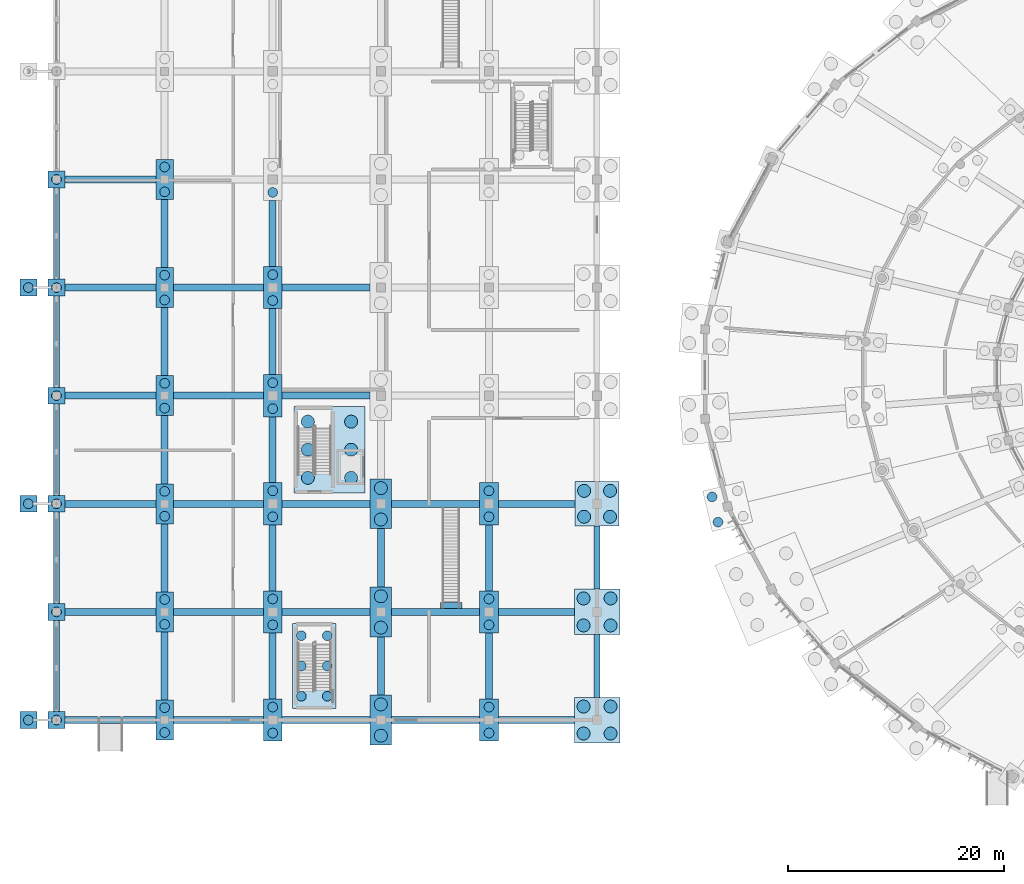
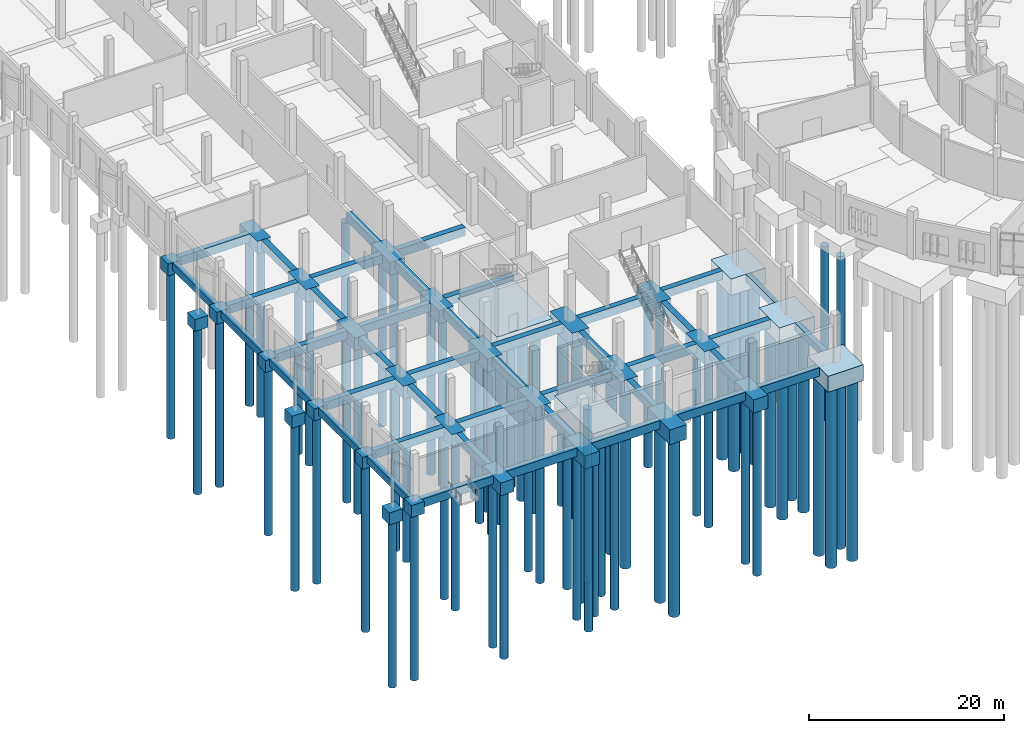
# One storey, part 1 of 140: 75 footings, 70 piles.
"""IFC4 building model written with IfcOpenShell, lengths in metres."""

from ifc_helpers import new_model, si_unit, direction, frame, origin, origin_2d, place, context, subcontext, project, spatial, rectangle, circle, extrude, material, layer, layer_set, material_profile, profile_set, type_object, element, save


model = new_model("IFC4")

# Units and contexts
model_context = context("Model", 3, precision=1e-05, world=origin(), true_north=direction((0.0, 1.0)))
body_context = subcontext(model_context, "Body", "Model", "MODEL_VIEW")
ifc_project = project(units=[si_unit("LENGTHUNIT", "METRE"), si_unit("AREAUNIT", "SQUARE_METRE"), si_unit("VOLUMEUNIT", "CUBIC_METRE"), si_unit("PLANEANGLEUNIT", "RADIAN"), si_unit("MASSUNIT", "GRAM", prefix="KILO")], contexts=[model_context])

# Site, building, storey
site_placement = place(None, origin())
site = spatial("IfcSite", under=ifc_project, at=site_placement, CompositionType="ELEMENT")
building_placement = place(site_placement, origin())
building = spatial("IfcBuilding", under=site, at=building_placement, Name="Corvandel Quay Wholesale Market", CompositionType="ELEMENT")
storey_placement = place(building_placement, origin())
storey = spatial("IfcBuildingStorey", under=building, at=storey_placement, Name="L00", CompositionType="ELEMENT", Elevation=0.0)

# Piles
ifc_material = material(Name="Concrete C40/50", Category="concrete")
ifc_material_profile_1 = material_profile(ifc_material, circle(Radius=0.60009765625, at=origin_2d()), Name="RC-PILE-D1200")
ifc_profile_set_1 = profile_set([ifc_material_profile_1], Name="Concrete C40/50")
pile_type_1 = type_object("IfcPileType", Name="Bored Pile D1200 L22.2", PredefinedType="BORED", material=ifc_profile_set_1)
for number, where, z_axis, x_axis, name in (
    (1, (30.0, 8.550048828125, -1.75), (0.0, 0.0, -1.0), (1.0, 0.0, 0.0), "Bored Pile PIL-0638"),
    (2, (30.0, 11.449951171875, -1.75), (0.0, 0.0, -1.0), (1.0, 0.0, 0.0), "Bored Pile PIL-0639"),
    (3, (30.0, 18.550048828125, -1.75), (0.0, 0.0, -1.0), (1.0, 0.0, 0.0), "Bored Pile PIL-0640"),
    (4, (30.0, 21.449951171875, -1.75), (0.0, 0.0, -1.0), (1.0, 0.0, 0.0), "Bored Pile PIL-0641"),
    (5, (30.0, 28.550048828125, -1.75), (0.0, 0.0, -1.0), (1.0, 0.0, 0.0), "Bored Pile PIL-0642"),
    (6, (30.0, 31.449951171875, -1.75), (0.0, 0.0, -1.0), (1.0, 0.0, 0.0), "Bored Pile PIL-0643"),
):
    element("IfcPile", number, at=place(storey_placement, frame(where, z_axis=z_axis, x_axis=x_axis)), inside=storey, type_object=pile_type_1, Name=name, PredefinedType="BORED", context=body_context, shape_type="SweptSolid", body=[
        extrude(circle(Radius=0.60009765625, at=origin_2d()), origin(), (0.0, 0.0, 1.0), 22.199951171875),
    ])
ifc_material_profile_2 = material_profile(ifc_material, circle(Radius=0.60009765625, at=origin_2d()), Name="RC-PILE-D1200")
ifc_profile_set_2 = profile_set([ifc_material_profile_2], Name="Concrete C40/50")
pile_type_2 = type_object("IfcPileType", Name="Bored Pile D1200 L22.6", PredefinedType="BORED", material=ifc_profile_set_2)
for number, where, z_axis, x_axis, name in (
    (7, (23.25, 32.39990234375, -1.89990234375), (0.0, 0.0, -1.0), (1.0, 0.0, 0.0), "Bored Pile PIL-0023"),
    (8, (27.25, 32.39990234375, -1.89990234375), (0.0, 0.0, -1.0), (1.0, 0.0, 0.0), "Bored Pile PIL-0024"),
    (9, (23.25, 35.0, -1.89990234375), (0.0, 0.0, -1.0), (1.0, 0.0, 0.0), "Bored Pile PIL-0025"),
    (10, (27.25, 35.0, -1.89990234375), (0.0, 0.0, -1.0), (1.0, 0.0, 0.0), "Bored Pile PIL-0026"),
    (11, (23.25, 37.60009765625, -1.89990234375), (0.0, 0.0, -1.0), (1.0, 0.0, 0.0), "Bored Pile PIL-0027"),
    (12, (27.25, 37.60009765625, -1.89990234375), (0.0, 0.0, -1.0), (1.0, 0.0, 0.0), "Bored Pile PIL-0028"),
    (13, (48.75, 8.75, -1.89990234375), (0.0, 0.0, -1.0), (1.0, 0.0, 0.0), "Bored Pile PIL-0694"),
    (14, (51.25, 8.75, -1.89990234375), (0.0, 0.0, -1.0), (1.0, 0.0, 0.0), "Bored Pile PIL-0695"),
    (15, (48.75, 11.25, -1.89990234375), (0.0, 0.0, -1.0), (1.0, 0.0, 0.0), "Bored Pile PIL-0696"),
    (16, (51.25, 11.25, -1.89990234375), (0.0, 0.0, -1.0), (1.0, 0.0, 0.0), "Bored Pile PIL-0697"),
    (17, (48.75, 18.75, -1.89990234375), (0.0, 0.0, -1.0), (1.0, 0.0, 0.0), "Bored Pile PIL-0698"),
    (18, (51.25, 18.75, -1.89990234375), (0.0, 0.0, -1.0), (1.0, 0.0, 0.0), "Bored Pile PIL-0699"),
    (19, (48.75, 21.25, -1.89990234375), (0.0, 0.0, -1.0), (1.0, 0.0, 0.0), "Bored Pile PIL-0700"),
    (20, (51.25, 21.25, -1.89990234375), (0.0, 0.0, -1.0), (1.0, 0.0, 0.0), "Bored Pile PIL-0701"),
    (21, (48.800048828125, 28.800048828125, -1.949951171875), (0.0, 0.0, -1.0), (1.0, 0.0, 0.0), "Bored Pile PIL-0702"),
    (22, (51.199951171875, 28.800048828125, -1.949951171875), (0.0, 0.0, -1.0), (1.0, 0.0, 0.0), "Bored Pile PIL-0703"),
    (23, (48.800048828125, 31.199951171875, -1.949951171875), (0.0, 0.0, -1.0), (1.0, 0.0, 0.0), "Bored Pile PIL-0704"),
    (24, (51.199951171875, 31.199951171875, -1.949951171875), (0.0, 0.0, -1.0), (1.0, 0.0, 0.0), "Bored Pile PIL-0705"),
):
    element("IfcPile", number, at=place(storey_placement, frame(where, z_axis=z_axis, x_axis=x_axis)), inside=storey, type_object=pile_type_2, Name=name, PredefinedType="BORED", context=body_context, shape_type="SweptSolid", body=[
        extrude(circle(Radius=0.60009765625, at=origin_2d()), origin(), (0.0, 0.0, 1.0), 22.60009765625),
    ])
ifc_material_profile_3 = material_profile(ifc_material, circle(Radius=0.449951171875, at=origin_2d()), Name="RC-PILE-D900")
ifc_profile_set_3 = profile_set([ifc_material_profile_3], Name="Concrete C40/50")
pile_type_3 = type_object("IfcPileType", Name="Bored Pile D900 L21.0", PredefinedType="BORED", material=ifc_profile_set_3)
for number, where, z_axis, x_axis, name in (
    (25, (-2.60009765625, 10.0, -1.39990234375), (0.0, 0.0, -1.0), (1.0, 0.0, 0.0), "Bored Pile PIL-0571"),
    (26, (-2.60009765625, 30.0, -1.39990234375), (0.0, 0.0, -1.0), (1.0, 0.0, 0.0), "Bored Pile PIL-0572"),
    (27, (-2.60009765625, 50.0, -1.39990234375), (0.0, 0.0, -1.0), (1.0, 0.0, 0.0), "Bored Pile PIL-0573"),
    (28, (0.0, 10.0, -1.39990234375), (0.0, 0.0, -1.0), (1.0, 0.0, 0.0), "Bored Pile PIL-0577"),
    (29, (0.0, 20.0, -1.39990234375), (0.0, 0.0, -1.0), (1.0, 0.0, 0.0), "Bored Pile PIL-0578"),
    (30, (0.0, 30.0, -1.39990234375), (0.0, 0.0, -1.0), (1.0, 0.0, 0.0), "Bored Pile PIL-0579"),
    (31, (0.0, 40.0, -1.39990234375), (0.0, 0.0, -1.0), (1.0, 0.0, 0.0), "Bored Pile PIL-0580"),
    (32, (0.0, 50.0, -1.39990234375), (0.0, 0.0, -1.0), (1.0, 0.0, 0.0), "Bored Pile PIL-0581"),
    (33, (0.0, 60.0, -1.39990234375), (0.0, 0.0, -1.0), (1.0, 0.0, 0.0), "Bored Pile PIL-0582"),
    (34, (10.0, 8.85009765625, -1.5), (0.0, 0.0, -1.0), (1.0, 0.0, 0.0), "Bored Pile PIL-0588"),
    (35, (10.0, 11.14990234375, -1.5), (0.0, 0.0, -1.0), (1.0, 0.0, 0.0), "Bored Pile PIL-0589"),
    (36, (10.0, 18.85009765625, -1.5), (0.0, 0.0, -1.0), (1.0, 0.0, 0.0), "Bored Pile PIL-0590"),
    (37, (10.0, 21.14990234375, -1.5), (0.0, 0.0, -1.0), (1.0, 0.0, 0.0), "Bored Pile PIL-0591"),
    (38, (10.0, 28.85009765625, -1.5), (0.0, 0.0, -1.0), (1.0, 0.0, 0.0), "Bored Pile PIL-0592"),
    (39, (10.0, 31.14990234375, -1.5), (0.0, 0.0, -1.0), (1.0, 0.0, 0.0), "Bored Pile PIL-0593"),
    (40, (10.0, 38.85009765625, -1.5), (0.0, 0.0, -1.0), (1.0, 0.0, 0.0), "Bored Pile PIL-0594"),
    (41, (10.0, 41.14990234375, -1.5), (0.0, 0.0, -1.0), (1.0, 0.0, 0.0), "Bored Pile PIL-0595"),
    (42, (10.0, 48.85009765625, -1.5), (0.0, 0.0, -1.0), (1.0, 0.0, 0.0), "Bored Pile PIL-0596"),
    (43, (10.0, 51.14990234375, -1.5), (0.0, 0.0, -1.0), (1.0, 0.0, 0.0), "Bored Pile PIL-0597"),
    (44, (10.0, 58.85009765625, -1.5), (0.0, 0.0, -1.0), (1.0, 0.0, 0.0), "Bored Pile PIL-0598"),
    (45, (10.0, 61.14990234375, -1.5), (0.0, 0.0, -1.0), (1.0, 0.0, 0.0), "Bored Pile PIL-0599"),
    (46, (20.0, 8.800048828125, -1.550048828125), (0.0, 0.0, -1.0), (1.0, 0.0, 0.0), "Bored Pile PIL-0610"),
    (47, (20.0, 11.199951171875, -1.550048828125), (0.0, 0.0, -1.0), (1.0, 0.0, 0.0), "Bored Pile PIL-0611"),
    (48, (20.0, 18.800048828125, -1.550048828125), (0.0, 0.0, -1.0), (1.0, 0.0, 0.0), "Bored Pile PIL-0612"),
    (49, (20.0, 21.199951171875, -1.550048828125), (0.0, 0.0, -1.0), (1.0, 0.0, 0.0), "Bored Pile PIL-0613"),
    (50, (20.0, 28.800048828125, -1.550048828125), (0.0, 0.0, -1.0), (1.0, 0.0, 0.0), "Bored Pile PIL-0614"),
    (51, (20.0, 31.199951171875, -1.550048828125), (0.0, 0.0, -1.0), (1.0, 0.0, 0.0), "Bored Pile PIL-0615"),
    (52, (20.0, 38.800048828125, -1.550048828125), (0.0, 0.0, -1.0), (1.0, 0.0, 0.0), "Bored Pile PIL-0616"),
    (53, (20.0, 41.199951171875, -1.550048828125), (0.0, 0.0, -1.0), (1.0, 0.0, 0.0), "Bored Pile PIL-0617"),
    (54, (20.0, 48.800048828125, -1.550048828125), (0.0, 0.0, -1.0), (1.0, 0.0, 0.0), "Bored Pile PIL-0618"),
    (55, (20.0, 51.199951171875, -1.550048828125), (0.0, 0.0, -1.0), (1.0, 0.0, 0.0), "Bored Pile PIL-0619"),
    (56, (20.0, 58.800048828125, -1.550048828125), (0.0, 0.0, -1.0), (1.0, 0.0, 0.0), "Bored Pile PIL-0620"),
    (57, (40.0, 8.800048828125, -1.550048828125), (0.0, 0.0, -1.0), (1.0, 0.0, 0.0), "Bored Pile PIL-0666"),
    (58, (40.0, 11.199951171875, -1.550048828125), (0.0, 0.0, -1.0), (1.0, 0.0, 0.0), "Bored Pile PIL-0667"),
    (59, (40.0, 18.800048828125, -1.550048828125), (0.0, 0.0, -1.0), (1.0, 0.0, 0.0), "Bored Pile PIL-0668"),
    (60, (40.0, 21.199951171875, -1.550048828125), (0.0, 0.0, -1.0), (1.0, 0.0, 0.0), "Bored Pile PIL-0669"),
    (61, (40.0, 28.800048828125, -1.550048828125), (0.0, 0.0, -1.0), (1.0, 0.0, 0.0), "Bored Pile PIL-0670"),
    (62, (40.0, 31.199951171875, -1.550048828125), (0.0, 0.0, -1.0), (1.0, 0.0, 0.0), "Bored Pile PIL-0671"),
):
    element("IfcPile", number, at=place(storey_placement, frame(where, z_axis=z_axis, x_axis=x_axis)), inside=storey, type_object=pile_type_3, Name=name, PredefinedType="BORED", context=body_context, shape_type="SweptSolid", body=[
        extrude(circle(Radius=0.449951171875, at=origin_2d()), origin(), (0.0, 0.0, 1.0), 21.0),
    ])
ifc_material_profile_4 = material_profile(ifc_material, circle(Radius=0.449951171875, at=origin_2d()), Name="RC-PILE-D900")
ifc_profile_set_4 = profile_set([ifc_material_profile_4], Name="Concrete C40/50")
pile_type_4 = type_object("IfcPileType", Name="Bored Pile D900 L21.8", PredefinedType="BORED", material=ifc_profile_set_4)
for number, where, z_axis, x_axis, name in (
    (63, (22.64990234375, 12.199951171875, -1.85009765625), (0.0, 0.0, -1.0), (1.0, 0.0, 0.0), "Bored Pile PIL-0089"),
    (64, (25.050048828125, 12.199951171875, -1.85009765625), (0.0, 0.0, -1.0), (1.0, 0.0, 0.0), "Bored Pile PIL-0090"),
    (65, (22.64990234375, 15.0, -1.85009765625), (0.0, 0.0, -1.0), (1.0, 0.0, 0.0), "Bored Pile PIL-0091"),
    (66, (25.050048828125, 15.0, -1.85009765625), (0.0, 0.0, -1.0), (1.0, 0.0, 0.0), "Bored Pile PIL-0092"),
    (67, (22.64990234375, 17.800048828125, -1.85009765625), (0.0, 0.0, -1.0), (1.0, 0.0, 0.0), "Bored Pile PIL-0093"),
    (68, (25.050048828125, 17.800048828125, -1.85009765625), (0.0, 0.0, -1.0), (1.0, 0.0, 0.0), "Bored Pile PIL-0094"),
    (69, (61.18310546875, 28.304931640625, -1.699951171875), (0.0, 0.0, -1.0), (1.0, 0.0, 0.0), "Bored Pile PIL-0239"),
    (70, (60.631103515625, 30.64111328125, -1.699951171875), (0.0, 0.0, -1.0), (1.0, 0.0, 0.0), "Bored Pile PIL-0240"),
):
    element("IfcPile", number, at=place(storey_placement, frame(where, z_axis=z_axis, x_axis=x_axis)), inside=storey, type_object=pile_type_4, Name=name, PredefinedType="BORED", context=body_context, shape_type="SweptSolid", body=[
        extrude(circle(Radius=0.449951171875, at=origin_2d()), origin(), (0.0, 0.0, 1.0), 21.800048828125),
    ])

# Footings
ifc_layer_1 = layer(ifc_material, 1.050048828125)
ifc_layer_set_1 = layer_set([ifc_layer_1], Name="Concrete C40/50")
footing_type_1 = type_object("IfcFootingType", Name="Cold Store Grade Beam GB04 650x1050", PredefinedType="FOOTING_BEAM", material=ifc_layer_set_1)
footing_1_placement = place(storey_placement, frame((4.987060546875, 10.0, -1.0498046875), z_axis=(0.0, 0.0, 1.0), x_axis=(1.0, 0.0, 0.0)))
element("IfcFooting", 71, at=footing_1_placement, inside=storey, type_object=footing_type_1, Name="Grade Beam FND-0487", PredefinedType="FOOTING_BEAM", context=body_context, shape_type="SweptSolid", body=[
    extrude(rectangle(XDim=8.425048828125, YDim=0.64990234375, at=origin_2d()), origin(), (0.0, 0.0, 1.0), 1.050048828125),
])
footing_2_placement = place(storey_placement, frame((14.962890625, 10.0, -1.0498046875), z_axis=(0.0, 0.0, 1.0), x_axis=(1.0, 0.0, 0.0)))
element("IfcFooting", 72, at=footing_2_placement, inside=storey, type_object=footing_type_1, Name="Grade Beam FND-0488", PredefinedType="FOOTING_BEAM", context=body_context, shape_type="SweptSolid", body=[
    extrude(rectangle(XDim=8.324951171875, YDim=0.64990234375, at=origin_2d()), origin(), (0.0, 0.0, 1.0), 1.050048828125),
])
for number, where, z_axis, x_axis, name in (
    (73, (24.93798828125, 10.0, -1.0498046875), (0.0, 0.0, 1.0), (1.0, 0.0, 0.0), "Grade Beam FND-0489"),
    (74, (35.06201171875, 10.0, -1.0498046875), (0.0, 0.0, 1.0), (1.0, 0.0, 0.0), "Grade Beam FND-0490"),
):
    element("IfcFooting", number, at=place(storey_placement, frame(where, z_axis=z_axis, x_axis=x_axis)), inside=storey, type_object=footing_type_1, Name=name, PredefinedType="FOOTING_BEAM", context=body_context, shape_type="SweptSolid", body=[
        extrude(rectangle(XDim=8.125, YDim=0.64990234375, at=origin_2d()), origin(), (0.0, 0.0, 1.0), 1.050048828125),
    ])
footing_3_placement = place(storey_placement, frame((44.387939453125, 10.0, -1.0498046875), z_axis=(0.0, 0.0, 1.0), x_axis=(1.0, 0.0, 0.0)))
element("IfcFooting", 75, at=footing_3_placement, inside=storey, type_object=footing_type_1, Name="Grade Beam FND-0491", PredefinedType="FOOTING_BEAM", context=body_context, shape_type="SweptSolid", body=[
    extrude(rectangle(XDim=7.02490234375, YDim=0.64990234375, at=origin_2d()), origin(), (0.0, 0.0, 1.0), 1.050048828125),
])
footing_4_placement = place(storey_placement, frame((4.987060546875, 20.0, -1.0498046875), z_axis=(0.0, 0.0, 1.0), x_axis=(1.0, 0.0, 0.0)))
element("IfcFooting", 76, at=footing_4_placement, inside=storey, type_object=footing_type_1, Name="Grade Beam FND-0492", PredefinedType="FOOTING_BEAM", context=body_context, shape_type="SweptSolid", body=[
    extrude(rectangle(XDim=8.425048828125, YDim=0.64990234375, at=origin_2d()), origin(), (0.0, 0.0, 1.0), 1.050048828125),
])
footing_5_placement = place(storey_placement, frame((14.962890625, 20.0, -1.0498046875), z_axis=(0.0, 0.0, 1.0), x_axis=(1.0, 0.0, 0.0)))
element("IfcFooting", 77, at=footing_5_placement, inside=storey, type_object=footing_type_1, Name="Grade Beam FND-0493", PredefinedType="FOOTING_BEAM", context=body_context, shape_type="SweptSolid", body=[
    extrude(rectangle(XDim=8.324951171875, YDim=0.64990234375, at=origin_2d()), origin(), (0.0, 0.0, 1.0), 1.050048828125),
])
for number, where, z_axis, x_axis, name in (
    (78, (24.93798828125, 20.0, -1.0498046875), (0.0, 0.0, 1.0), (1.0, 0.0, 0.0), "Grade Beam FND-0494"),
    (79, (35.06201171875, 20.0, -1.0498046875), (0.0, 0.0, 1.0), (1.0, 0.0, 0.0), "Grade Beam FND-0495"),
):
    element("IfcFooting", number, at=place(storey_placement, frame(where, z_axis=z_axis, x_axis=x_axis)), inside=storey, type_object=footing_type_1, Name=name, PredefinedType="FOOTING_BEAM", context=body_context, shape_type="SweptSolid", body=[
        extrude(rectangle(XDim=8.125, YDim=0.64990234375, at=origin_2d()), origin(), (0.0, 0.0, 1.0), 1.050048828125),
    ])
footing_6_placement = place(storey_placement, frame((44.387939453125, 20.0, -1.0498046875), z_axis=(0.0, 0.0, 1.0), x_axis=(1.0, 0.0, 0.0)))
element("IfcFooting", 80, at=footing_6_placement, inside=storey, type_object=footing_type_1, Name="Grade Beam FND-0496", PredefinedType="FOOTING_BEAM", context=body_context, shape_type="SweptSolid", body=[
    extrude(rectangle(XDim=7.02490234375, YDim=0.64990234375, at=origin_2d()), origin(), (0.0, 0.0, 1.0), 1.050048828125),
])
footing_7_placement = place(storey_placement, frame((4.987060546875, 30.0, -1.0498046875), z_axis=(0.0, 0.0, 1.0), x_axis=(1.0, 0.0, 0.0)))
element("IfcFooting", 81, at=footing_7_placement, inside=storey, type_object=footing_type_1, Name="Grade Beam FND-0497", PredefinedType="FOOTING_BEAM", context=body_context, shape_type="SweptSolid", body=[
    extrude(rectangle(XDim=8.425048828125, YDim=0.64990234375, at=origin_2d()), origin(), (0.0, 0.0, 1.0), 1.050048828125),
])
footing_8_placement = place(storey_placement, frame((14.962890625, 30.0, -1.0498046875), z_axis=(0.0, 0.0, 1.0), x_axis=(1.0, 0.0, 0.0)))
element("IfcFooting", 82, at=footing_8_placement, inside=storey, type_object=footing_type_1, Name="Grade Beam FND-0498", PredefinedType="FOOTING_BEAM", context=body_context, shape_type="SweptSolid", body=[
    extrude(rectangle(XDim=8.324951171875, YDim=0.64990234375, at=origin_2d()), origin(), (0.0, 0.0, 1.0), 1.050048828125),
])
for number, where, z_axis, x_axis, name in (
    (83, (24.93798828125, 30.0, -1.0498046875), (0.0, 0.0, 1.0), (1.0, 0.0, 0.0), "Grade Beam FND-0499"),
    (84, (35.06201171875, 30.0, -1.0498046875), (0.0, 0.0, 1.0), (1.0, 0.0, 0.0), "Grade Beam FND-0500"),
):
    element("IfcFooting", number, at=place(storey_placement, frame(where, z_axis=z_axis, x_axis=x_axis)), inside=storey, type_object=footing_type_1, Name=name, PredefinedType="FOOTING_BEAM", context=body_context, shape_type="SweptSolid", body=[
        extrude(rectangle(XDim=8.125, YDim=0.64990234375, at=origin_2d()), origin(), (0.0, 0.0, 1.0), 1.050048828125),
    ])
footing_9_placement = place(storey_placement, frame((44.4130859375, 30.0, -1.0498046875), z_axis=(0.0, 0.0, 1.0), x_axis=(1.0, 0.0, 0.0)))
element("IfcFooting", 85, at=footing_9_placement, inside=storey, type_object=footing_type_1, Name="Grade Beam FND-0501", PredefinedType="FOOTING_BEAM", context=body_context, shape_type="SweptSolid", body=[
    extrude(rectangle(XDim=7.074951171875, YDim=0.64990234375, at=origin_2d()), origin(), (0.0, 0.0, 1.0), 1.050048828125),
])
footing_10_placement = place(storey_placement, frame((4.987060546875, 40.0, -1.0498046875), z_axis=(0.0, 0.0, 1.0), x_axis=(1.0, 0.0, 0.0)))
element("IfcFooting", 86, at=footing_10_placement, inside=storey, type_object=footing_type_1, Name="Grade Beam FND-0502", PredefinedType="FOOTING_BEAM", context=body_context, shape_type="SweptSolid", body=[
    extrude(rectangle(XDim=8.425048828125, YDim=0.64990234375, at=origin_2d()), origin(), (0.0, 0.0, 1.0), 1.050048828125),
])
footing_11_placement = place(storey_placement, frame((14.962890625, 40.0, -1.0498046875), z_axis=(0.0, 0.0, 1.0), x_axis=(1.0, 0.0, 0.0)))
element("IfcFooting", 87, at=footing_11_placement, inside=storey, type_object=footing_type_1, Name="Grade Beam FND-0503", PredefinedType="FOOTING_BEAM", context=body_context, shape_type="SweptSolid", body=[
    extrude(rectangle(XDim=8.324951171875, YDim=0.64990234375, at=origin_2d()), origin(), (0.0, 0.0, 1.0), 1.050048828125),
])
footing_12_placement = place(storey_placement, frame((24.93798828125, 40.0, -1.0498046875), z_axis=(0.0, 0.0, 1.0), x_axis=(1.0, 0.0, 0.0)))
element("IfcFooting", 88, at=footing_12_placement, inside=storey, type_object=footing_type_1, Name="Grade Beam FND-0504", PredefinedType="FOOTING_BEAM", context=body_context, shape_type="SweptSolid", body=[
    extrude(rectangle(XDim=8.125, YDim=0.64990234375, at=origin_2d()), origin(), (0.0, 0.0, 1.0), 1.050048828125),
])
footing_13_placement = place(storey_placement, frame((4.987060546875, 50.0, -1.0498046875), z_axis=(0.0, 0.0, 1.0), x_axis=(1.0, 0.0, 0.0)))
element("IfcFooting", 89, at=footing_13_placement, inside=storey, type_object=footing_type_1, Name="Grade Beam FND-0507", PredefinedType="FOOTING_BEAM", context=body_context, shape_type="SweptSolid", body=[
    extrude(rectangle(XDim=8.425048828125, YDim=0.64990234375, at=origin_2d()), origin(), (0.0, 0.0, 1.0), 1.050048828125),
])
footing_14_placement = place(storey_placement, frame((14.962890625, 50.0, -1.0498046875), z_axis=(0.0, 0.0, 1.0), x_axis=(1.0, 0.0, 0.0)))
element("IfcFooting", 90, at=footing_14_placement, inside=storey, type_object=footing_type_1, Name="Grade Beam FND-0508", PredefinedType="FOOTING_BEAM", context=body_context, shape_type="SweptSolid", body=[
    extrude(rectangle(XDim=8.324951171875, YDim=0.64990234375, at=origin_2d()), origin(), (0.0, 0.0, 1.0), 1.050048828125),
])
footing_15_placement = place(storey_placement, frame((24.93798828125, 50.0, -1.0498046875), z_axis=(0.0, 0.0, 1.0), x_axis=(1.0, 0.0, 0.0)))
element("IfcFooting", 91, at=footing_15_placement, inside=storey, type_object=footing_type_1, Name="Grade Beam FND-0509", PredefinedType="FOOTING_BEAM", context=body_context, shape_type="SweptSolid", body=[
    extrude(rectangle(XDim=8.125, YDim=0.64990234375, at=origin_2d()), origin(), (0.0, 0.0, 1.0), 1.050048828125),
])
footing_16_placement = place(storey_placement, frame((4.987060546875, 60.0, -1.0498046875), z_axis=(0.0, 0.0, 1.0), x_axis=(1.0, 0.0, 0.0)))
element("IfcFooting", 92, at=footing_16_placement, inside=storey, type_object=footing_type_1, Name="Grade Beam FND-0512", PredefinedType="FOOTING_BEAM", context=body_context, shape_type="SweptSolid", body=[
    extrude(rectangle(XDim=8.425048828125, YDim=0.64990234375, at=origin_2d()), origin(), (0.0, 0.0, 1.0), 1.050048828125),
])
for number, where, z_axis, x_axis, name in (
    (93, (10.0, 15.0, -1.0498046875), (0.0, 0.0, 1.0), (0.0, 1.0, 0.0), "Grade Beam FND-0561"),
    (94, (10.0, 25.0, -1.0498046875), (0.0, 0.0, 1.0), (0.0, 1.0, 0.0), "Grade Beam FND-0562"),
    (95, (10.0, 35.0, -1.0498046875), (0.0, 0.0, 1.0), (0.0, 1.0, 0.0), "Grade Beam FND-0563"),
    (96, (10.0, 45.0, -1.0498046875), (0.0, 0.0, 1.0), (0.0, 1.0, 0.0), "Grade Beam FND-0564"),
    (97, (10.0, 55.0, -1.0498046875), (0.0, 0.0, 1.0), (0.0, 1.0, 0.0), "Grade Beam FND-0565"),
):
    element("IfcFooting", number, at=place(storey_placement, frame(where, z_axis=z_axis, x_axis=x_axis)), inside=storey, type_object=footing_type_1, Name=name, PredefinedType="FOOTING_BEAM", context=body_context, shape_type="SweptSolid", body=[
        extrude(rectangle(XDim=6.300048828125, YDim=0.64990234375, at=origin_2d()), origin(), (0.0, 0.0, 1.0), 1.050048828125),
    ])
for number, where, z_axis, x_axis, name in (
    (98, (20.0, 15.0, -1.0498046875), (0.0, 0.0, 1.0), (0.0, 1.0, 0.0), "Grade Beam FND-0571"),
    (99, (20.0, 25.0, -1.0498046875), (0.0, 0.0, 1.0), (0.0, 1.0, 0.0), "Grade Beam FND-0572"),
    (100, (20.0, 35.0, -1.0498046875), (0.0, 0.0, 1.0), (0.0, 1.0, 0.0), "Grade Beam FND-0573"),
    (101, (20.0, 45.0, -1.0498046875), (0.0, 0.0, 1.0), (0.0, 1.0, 0.0), "Grade Beam FND-0574"),
    (102, (20.0, 55.0, -1.0498046875), (0.0, 0.0, 1.0), (0.0, 1.0, 0.0), "Grade Beam FND-0575"),
):
    element("IfcFooting", number, at=place(storey_placement, frame(where, z_axis=z_axis, x_axis=x_axis)), inside=storey, type_object=footing_type_1, Name=name, PredefinedType="FOOTING_BEAM", context=body_context, shape_type="SweptSolid", body=[
        extrude(rectangle(XDim=6.10009765625, YDim=0.64990234375, at=origin_2d()), origin(), (0.0, 0.0, 1.0), 1.050048828125),
    ])
for number, where, z_axis, x_axis, name in (
    (103, (30.0, 15.0, -1.0498046875), (0.0, 0.0, 1.0), (0.0, 1.0, 0.0), "Grade Beam FND-0584"),
    (104, (30.0, 25.0, -1.0498046875), (0.0, 0.0, 1.0), (0.0, 1.0, 0.0), "Grade Beam FND-0585"),
):
    element("IfcFooting", number, at=place(storey_placement, frame(where, z_axis=z_axis, x_axis=x_axis)), inside=storey, type_object=footing_type_1, Name=name, PredefinedType="FOOTING_BEAM", context=body_context, shape_type="SweptSolid", body=[
        extrude(rectangle(XDim=5.39990234375, YDim=0.64990234375, at=origin_2d()), origin(), (0.0, 0.0, 1.0), 1.050048828125),
    ])
for number, where, z_axis, x_axis, name in (
    (105, (40.0, 15.0, -1.0498046875), (0.0, 0.0, 1.0), (0.0, 1.0, 0.0), "Grade Beam FND-0597"),
    (106, (40.0, 25.0, -1.0498046875), (0.0, 0.0, 1.0), (0.0, 1.0, 0.0), "Grade Beam FND-0598"),
):
    element("IfcFooting", number, at=place(storey_placement, frame(where, z_axis=z_axis, x_axis=x_axis)), inside=storey, type_object=footing_type_1, Name=name, PredefinedType="FOOTING_BEAM", context=body_context, shape_type="SweptSolid", body=[
        extrude(rectangle(XDim=6.10009765625, YDim=0.64990234375, at=origin_2d()), origin(), (0.0, 0.0, 1.0), 1.050048828125),
    ])
ifc_layer_2 = layer(ifc_material, 2.0)
ifc_layer_set_2 = layer_set([ifc_layer_2], Name="Concrete C40/50")
footing_type_2 = type_object("IfcFootingType", Name="Core Mat Cap PC19 6600x8000x2000", PredefinedType="PILE_CAP", material=ifc_layer_set_2)
footing_17_placement = place(storey_placement, frame((25.25, 35.0, -2.0), z_axis=(0.0, 0.0, 1.0), x_axis=(1.0, 0.0, 0.0)))
element("IfcFooting", 107, at=footing_17_placement, inside=storey, type_object=footing_type_2, Name="Pile Cap FND-0006", PredefinedType="PILE_CAP", context=body_context, shape_type="SweptSolid", body=[
    extrude(rectangle(XDim=6.60009765625, YDim=8.0, at=origin_2d()), origin(), (0.0, 0.0, 1.0), 2.0),
])
ifc_layer_3 = layer(ifc_material, 0.89990234375)
ifc_layer_set_3 = layer_set([ifc_layer_3], Name="Concrete C40/50")
footing_type_3 = type_object("IfcFootingType", Name="Perimeter Grade Beam GB03 550x900", PredefinedType="FOOTING_BEAM", material=ifc_layer_set_3)
for number, where, z_axis, x_axis, name in (
    (108, (0.0, 15.0, -0.89990234375), (0.0, 0.0, 1.0), (0.0, 1.0, 0.0), "Grade Beam FND-0551"),
    (109, (0.0, 25.0, -0.89990234375), (0.0, 0.0, 1.0), (0.0, 1.0, 0.0), "Grade Beam FND-0552"),
    (110, (0.0, 35.0, -0.89990234375), (0.0, 0.0, 1.0), (0.0, 1.0, 0.0), "Grade Beam FND-0553"),
    (111, (0.0, 45.0, -0.89990234375), (0.0, 0.0, 1.0), (0.0, 1.0, 0.0), "Grade Beam FND-0554"),
    (112, (0.0, 55.0, -0.89990234375), (0.0, 0.0, 1.0), (0.0, 1.0, 0.0), "Grade Beam FND-0555"),
):
    element("IfcFooting", number, at=place(storey_placement, frame(where, z_axis=z_axis, x_axis=x_axis)), inside=storey, type_object=footing_type_3, Name=name, PredefinedType="FOOTING_BEAM", context=body_context, shape_type="SweptSolid", body=[
        extrude(rectangle(XDim=8.449951171875, YDim=0.550048828125, at=origin_2d()), origin(), (0.0, 0.0, 1.0), 0.89990234375),
    ])
footing_18_placement = place(storey_placement, frame((50.0, 15.0, -0.89990234375), z_axis=(0.0, 0.0, 1.0), x_axis=(0.0, 1.0, 0.0)))
element("IfcFooting", 113, at=footing_18_placement, inside=storey, type_object=footing_type_3, Name="Grade Beam FND-0610", PredefinedType="FOOTING_BEAM", context=body_context, shape_type="SweptSolid", body=[
    extrude(rectangle(XDim=5.800048828125, YDim=0.550048828125, at=origin_2d()), origin(), (0.0, 0.0, 1.0), 0.89990234375),
])
footing_19_placement = place(storey_placement, frame((50.0, 25.02490234375, -0.89990234375), z_axis=(0.0, 0.0, 1.0), x_axis=(0.0, 1.0, 0.0)))
element("IfcFooting", 114, at=footing_19_placement, inside=storey, type_object=footing_type_3, Name="Grade Beam FND-0611", PredefinedType="FOOTING_BEAM", context=body_context, shape_type="SweptSolid", body=[
    extrude(rectangle(XDim=5.85009765625, YDim=0.550048828125, at=origin_2d()), origin(), (0.0, 0.0, 1.0), 0.89990234375),
])
footing_20_placement = place(storey_placement, frame((36.5, 20.60009765625, -0.89990234375), z_axis=(0.0, 0.0, 1.0), x_axis=(1.0, 0.0, 0.0)))
element("IfcFooting", 115, at=footing_20_placement, inside=storey, type_object=footing_type_3, Name="Stair Toe Grade Beam FND-0779", PredefinedType="FOOTING_BEAM", context=body_context, shape_type="SweptSolid", body=[
    extrude(rectangle(XDim=2.0, YDim=0.550048828125, at=origin_2d()), origin(), (0.0, 0.0, 1.0), 0.89990234375),
])
ifc_layer_4 = layer(ifc_material, 1.60009765625)
ifc_layer_set_4 = layer_set([ifc_layer_4], Name="Concrete C40/50")
footing_type_4 = type_object("IfcFootingType", Name="Pile Cap PC01 1600x3700x1600", PredefinedType="PILE_CAP", material=ifc_layer_set_4)
for number, where, z_axis, x_axis, name in (
    (116, (10.0, 10.0, -1.60009765625), (0.0, 0.0, 1.0), (1.0, 0.0, 0.0), "Pile Cap FND-0420"),
    (117, (10.0, 20.0, -1.60009765625), (0.0, 0.0, 1.0), (1.0, 0.0, 0.0), "Pile Cap FND-0421"),
    (118, (10.0, 30.0, -1.60009765625), (0.0, 0.0, 1.0), (1.0, 0.0, 0.0), "Pile Cap FND-0422"),
    (119, (10.0, 40.0, -1.60009765625), (0.0, 0.0, 1.0), (1.0, 0.0, 0.0), "Pile Cap FND-0423"),
    (120, (10.0, 50.0, -1.60009765625), (0.0, 0.0, 1.0), (1.0, 0.0, 0.0), "Pile Cap FND-0424"),
    (121, (10.0, 60.0, -1.60009765625), (0.0, 0.0, 1.0), (1.0, 0.0, 0.0), "Pile Cap FND-0425"),
):
    element("IfcFooting", number, at=place(storey_placement, frame(where, z_axis=z_axis, x_axis=x_axis)), inside=storey, type_object=footing_type_4, Name=name, PredefinedType="PILE_CAP", context=body_context, shape_type="SweptSolid", body=[
        extrude(rectangle(XDim=1.60009765625, YDim=3.699951171875, at=origin_2d()), origin(), (0.0, 0.0, 1.0), 1.60009765625),
    ])
ifc_layer_5 = layer(ifc_material, 1.64990234375)
ifc_layer_set_5 = layer_set([ifc_layer_5], Name="Concrete C40/50")
footing_type_5 = type_object("IfcFootingType", Name="Pile Cap PC03 1750x3900x1650", PredefinedType="PILE_CAP", material=ifc_layer_set_5)
for number, where, z_axis, x_axis, name in (
    (122, (20.0, 10.0, -1.64990234375), (0.0, 0.0, 1.0), (1.0, 0.0, 0.0), "Pile Cap FND-0431"),
    (123, (20.0, 20.0, -1.64990234375), (0.0, 0.0, 1.0), (1.0, 0.0, 0.0), "Pile Cap FND-0432"),
    (124, (20.0, 30.0, -1.64990234375), (0.0, 0.0, 1.0), (1.0, 0.0, 0.0), "Pile Cap FND-0433"),
    (125, (20.0, 40.0, -1.64990234375), (0.0, 0.0, 1.0), (1.0, 0.0, 0.0), "Pile Cap FND-0434"),
    (126, (20.0, 50.0, -1.64990234375), (0.0, 0.0, 1.0), (1.0, 0.0, 0.0), "Pile Cap FND-0435"),
    (127, (40.0, 10.0, -1.64990234375), (0.0, 0.0, 1.0), (1.0, 0.0, 0.0), "Pile Cap FND-0459"),
    (128, (40.0, 20.0, -1.64990234375), (0.0, 0.0, 1.0), (1.0, 0.0, 0.0), "Pile Cap FND-0460"),
    (129, (40.0, 30.0, -1.64990234375), (0.0, 0.0, 1.0), (1.0, 0.0, 0.0), "Pile Cap FND-0461"),
):
    element("IfcFooting", number, at=place(storey_placement, frame(where, z_axis=z_axis, x_axis=x_axis)), inside=storey, type_object=footing_type_5, Name=name, PredefinedType="PILE_CAP", context=body_context, shape_type="SweptSolid", body=[
        extrude(rectangle(XDim=1.75, YDim=3.89990234375, at=origin_2d()), origin(), (0.0, 0.0, 1.0), 1.64990234375),
    ])
ifc_layer_6 = layer(ifc_material, 1.85009765625)
ifc_layer_set_6 = layer_set([ifc_layer_6], Name="Concrete C40/50")
footing_type_6 = type_object("IfcFootingType", Name="Pile Cap PC09 2000x4600x1850", PredefinedType="PILE_CAP", material=ifc_layer_set_6)
for number, where, z_axis, x_axis, name in (
    (130, (30.0, 10.0, -1.85009765625), (0.0, 0.0, 1.0), (1.0, 0.0, 0.0), "Pile Cap FND-0445"),
    (131, (30.0, 20.0, -1.85009765625), (0.0, 0.0, 1.0), (1.0, 0.0, 0.0), "Pile Cap FND-0446"),
    (132, (30.0, 30.0, -1.85009765625), (0.0, 0.0, 1.0), (1.0, 0.0, 0.0), "Pile Cap FND-0447"),
):
    element("IfcFooting", number, at=place(storey_placement, frame(where, z_axis=z_axis, x_axis=x_axis)), inside=storey, type_object=footing_type_6, Name=name, PredefinedType="PILE_CAP", context=body_context, shape_type="SweptSolid", body=[
        extrude(rectangle(XDim=2.0, YDim=4.60009765625, at=origin_2d()), origin(), (0.0, 0.0, 1.0), 1.85009765625),
    ])
ifc_layer_7 = layer(ifc_material, 2.0)
ifc_layer_set_7 = layer_set([ifc_layer_7], Name="Concrete C40/50")
footing_type_7 = type_object("IfcFootingType", Name="Pile Cap PC12 4200x4200x2000", PredefinedType="PILE_CAP", material=ifc_layer_set_7)
for number, where, z_axis, x_axis, name in (
    (133, (50.0, 10.0, -2.0), (0.0, 0.0, 1.0), (1.0, 0.0, 0.0), "Pile Cap FND-0473"),
    (134, (50.0, 20.0, -2.0), (0.0, 0.0, 1.0), (1.0, 0.0, 0.0), "Pile Cap FND-0474"),
):
    element("IfcFooting", number, at=place(storey_placement, frame(where, z_axis=z_axis, x_axis=x_axis)), inside=storey, type_object=footing_type_7, Name=name, PredefinedType="PILE_CAP", context=body_context, shape_type="SweptSolid", body=[
        extrude(rectangle(XDim=4.199951171875, YDim=4.199951171875, at=origin_2d()), origin(), (0.0, 0.0, 1.0), 2.0),
    ])
ifc_layer_8 = layer(ifc_material, 1.5)
ifc_layer_set_8 = layer_set([ifc_layer_8], Name="Concrete C40/50")
footing_type_8 = type_object("IfcFootingType", Name="Pile Cap PC15 1550x1550x1500", PredefinedType="PILE_CAP", material=ifc_layer_set_8)
for number, where, z_axis, x_axis, name in (
    (135, (-2.60009765625, 10.0, -1.5), (0.0, 0.0, 1.0), (1.0, 0.0, 0.0), "Pile Cap FND-0403"),
    (136, (-2.60009765625, 30.0, -1.5), (0.0, 0.0, 1.0), (1.0, 0.0, 0.0), "Pile Cap FND-0404"),
    (137, (-2.60009765625, 50.0, -1.5), (0.0, 0.0, 1.0), (1.0, 0.0, 0.0), "Pile Cap FND-0405"),
    (138, (0.0, 10.0, -1.5), (0.0, 0.0, 1.0), (1.0, 0.0, 0.0), "Pile Cap FND-0409"),
    (139, (0.0, 20.0, -1.5), (0.0, 0.0, 1.0), (1.0, 0.0, 0.0), "Pile Cap FND-0410"),
    (140, (0.0, 30.0, -1.5), (0.0, 0.0, 1.0), (1.0, 0.0, 0.0), "Pile Cap FND-0411"),
    (141, (0.0, 40.0, -1.5), (0.0, 0.0, 1.0), (1.0, 0.0, 0.0), "Pile Cap FND-0412"),
    (142, (0.0, 50.0, -1.5), (0.0, 0.0, 1.0), (1.0, 0.0, 0.0), "Pile Cap FND-0413"),
    (143, (0.0, 60.0, -1.5), (0.0, 0.0, 1.0), (1.0, 0.0, 0.0), "Pile Cap FND-0414"),
):
    element("IfcFooting", number, at=place(storey_placement, frame(where, z_axis=z_axis, x_axis=x_axis)), inside=storey, type_object=footing_type_8, Name=name, PredefinedType="PILE_CAP", context=body_context, shape_type="SweptSolid", body=[
        extrude(rectangle(XDim=1.550048828125, YDim=1.550048828125, at=origin_2d()), origin(), (0.0, 0.0, 1.0), 1.5),
    ])
ifc_layer_9 = layer(ifc_material, 2.050048828125)
ifc_layer_set_9 = layer_set([ifc_layer_9], Name="Concrete C40/50")
footing_type_9 = type_object("IfcFootingType", Name="Pile Cap PC24 4100x4100x2050", PredefinedType="PILE_CAP", material=ifc_layer_set_9)
footing_21_placement = place(storey_placement, frame((50.0, 30.0, -2.0498046875), z_axis=(0.0, 0.0, 1.0), x_axis=(1.0, 0.0, 0.0)))
element("IfcFooting", 144, at=footing_21_placement, inside=storey, type_object=footing_type_9, Name="Pile Cap FND-0475", PredefinedType="PILE_CAP", context=body_context, shape_type="SweptSolid", body=[
    extrude(rectangle(XDim=4.10009765625, YDim=4.10009765625, at=origin_2d()), origin(), (0.0, 0.0, 1.0), 2.050048828125),
])
ifc_layer_10 = layer(ifc_material, 1.949951171875)
ifc_layer_set_10 = layer_set([ifc_layer_10], Name="Concrete C40/50")
footing_type_10 = type_object("IfcFootingType", Name="Shaft Pile Cap PC14 4050x7900x1950", PredefinedType="PILE_CAP", material=ifc_layer_set_10)
footing_22_placement = place(storey_placement, frame((23.85009765625, 15.0, -1.9501953125), z_axis=(0.0, 0.0, 1.0), x_axis=(1.0, 0.0, 0.0)))
element("IfcFooting", 145, at=footing_22_placement, inside=storey, type_object=footing_type_10, Name="Pile Cap FND-0017", PredefinedType="PILE_CAP", context=body_context, shape_type="SweptSolid", body=[
    extrude(rectangle(XDim=4.050048828125, YDim=7.89990234375, at=origin_2d()), origin(), (0.0, 0.0, 1.0), 1.949951171875),
])

save(model, "model.ifc")
